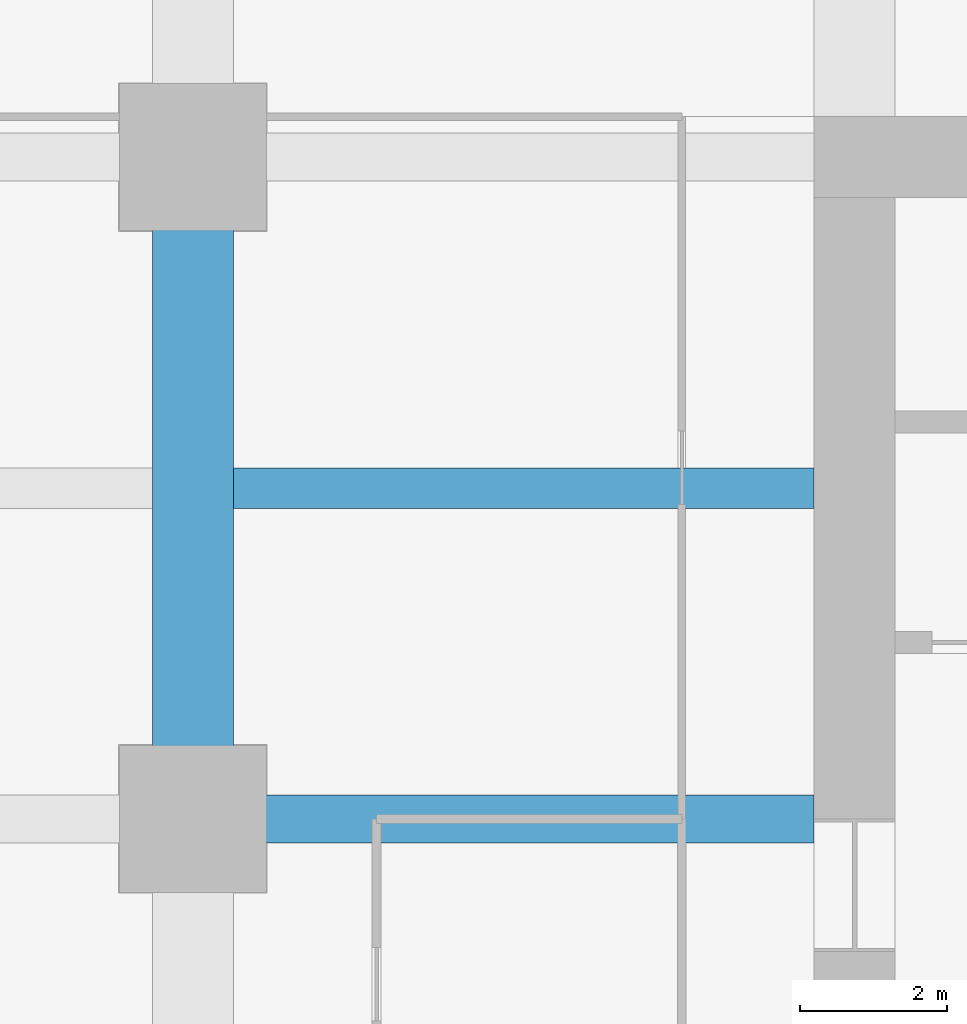
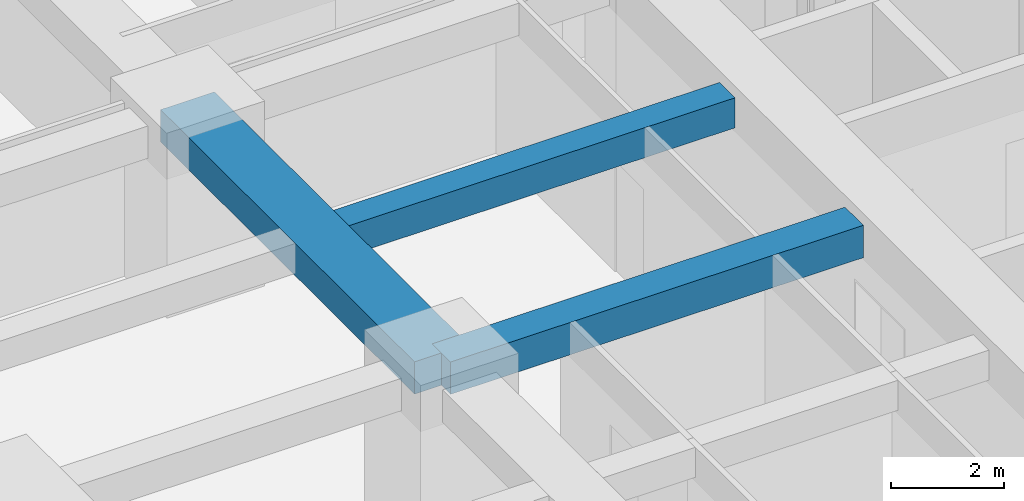
# One storey, part 12 of 40: 3 beams.
"""IFC4 building model written with IfcOpenShell, lengths in metres."""

from ifc_helpers import new_model, si_unit, direction, frame, origin, origin_2d, place, context, subcontext, project, spatial, rectangle, extrude, material, material_profile, profile_set, type_object, element, save


model = new_model("IFC4")

# Units and contexts
model_context = context("Model", 3, precision=1e-05, world=origin(), true_north=direction((0.0, 1.0)))
body_context = subcontext(model_context, "Body", "Model", "MODEL_VIEW")
ifc_project = project(units=[si_unit("LENGTHUNIT", "METRE"), si_unit("AREAUNIT", "SQUARE_METRE"), si_unit("VOLUMEUNIT", "CUBIC_METRE"), si_unit("PLANEANGLEUNIT", "RADIAN"), si_unit("MASSUNIT", "GRAM", prefix="KILO")], contexts=[model_context])

# Site, building, storey
site_placement = place(None, origin())
site = spatial("IfcSite", under=ifc_project, at=site_placement, CompositionType="ELEMENT")
building_placement = place(site_placement, origin())
building = spatial("IfcBuilding", under=site, at=building_placement, Name="Zorevar Civic Tower", CompositionType="ELEMENT")
storey_placement = place(building_placement, frame((0.0, 0.0, 93.0)))
storey = spatial("IfcBuildingStorey", under=building, at=storey_placement, Name="L22", CompositionType="ELEMENT", Elevation=93.0)

# Beams
ifc_material_1 = material(Name="Concrete C50/60", Category="concrete")
ifc_material_profile_1 = material_profile(ifc_material_1, rectangle(XDim=1.10009765625, YDim=0.699951171875, at=origin_2d()), Name="RC 1100x700")
ifc_profile_set_1 = profile_set([ifc_material_profile_1], Name="Concrete C50/60")
beam_type_1 = type_object("IfcBeamType", Name="Beam RC 1100x700", PredefinedType="BEAM", material=ifc_profile_set_1)
beam_1_placement = place(storey_placement, frame((9.0, 27.0, 3.39990234375), z_axis=(0.0, 1.0, 0.0), x_axis=(-1.0, 0.0, 0.0)))
element("IfcBeam", 1, at=beam_1_placement, inside=storey, type_object=beam_type_1, Name="Girder L23", PredefinedType="BEAM", context=body_context, shape_type="SweptSolid", body=[
    extrude(rectangle(XDim=1.10009765625, YDim=0.699951171875, at=origin_2d()), origin(), (0.0, 0.0, 1.0), 9.0),
])
ifc_material_2 = material(Name="Concrete C50/60", Category="concrete")
ifc_material_profile_2 = material_profile(ifc_material_2, rectangle(XDim=0.550048828125, YDim=0.64990234375, at=origin_2d()), Name="RC 550x650")
ifc_profile_set_2 = profile_set([ifc_material_profile_2], Name="Concrete C50/60")
beam_type_2 = type_object("IfcBeamType", Name="Beam RC 550x650", PredefinedType="BEAM", material=ifc_profile_set_2)
beam_2_placement = place(storey_placement, frame((9.550048828125, 31.5, 3.425048828125), z_axis=(1.0, 0.0, 0.0), x_axis=(0.0, 1.0, 0.0)))
element("IfcBeam", 2, at=beam_2_placement, inside=storey, type_object=beam_type_2, Name="Secondary beam L23", PredefinedType="BEAM", context=body_context, shape_type="SweptSolid", body=[
    extrude(rectangle(XDim=0.550048828125, YDim=0.64990234375, at=origin_2d()), origin(), (0.0, 0.0, 1.0), 7.89990234375),
])
ifc_material_3 = material(Name="Concrete C50/60", Category="concrete")
ifc_material_profile_3 = material_profile(ifc_material_3, rectangle(XDim=0.64990234375, YDim=0.699951171875, at=origin_2d()), Name="RC 650x700")
ifc_profile_set_3 = profile_set([ifc_material_profile_3], Name="Concrete C50/60")
beam_type_3 = type_object("IfcBeamType", Name="Beam RC 650x700", PredefinedType="BEAM", material=ifc_profile_set_3)
beam_3_placement = place(storey_placement, frame((9.0, 27.0, 3.39990234375), z_axis=(1.0, 0.0, 0.0), x_axis=(0.0, 1.0, 0.0)))
element("IfcBeam", 3, at=beam_3_placement, inside=storey, type_object=beam_type_3, Name="Girder L23", PredefinedType="BEAM", context=body_context, shape_type="SweptSolid", body=[
    extrude(rectangle(XDim=0.64990234375, YDim=0.699951171875, at=origin_2d()), origin(), (0.0, 0.0, 1.0), 8.449951171875),
])

save(model, "model.ifc")
